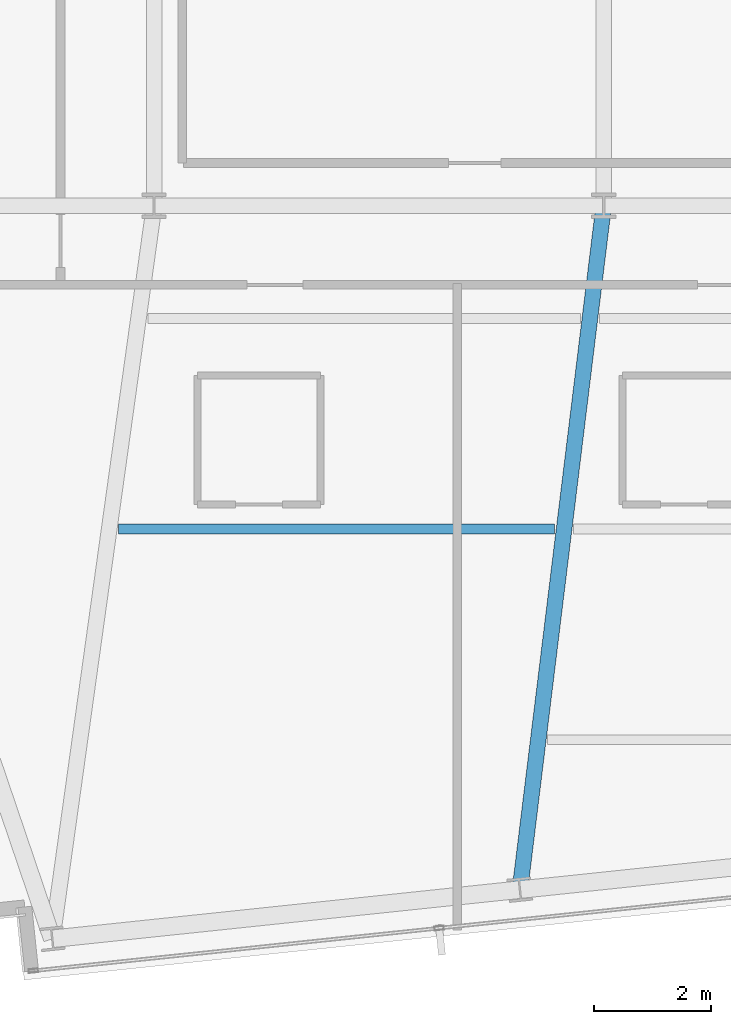
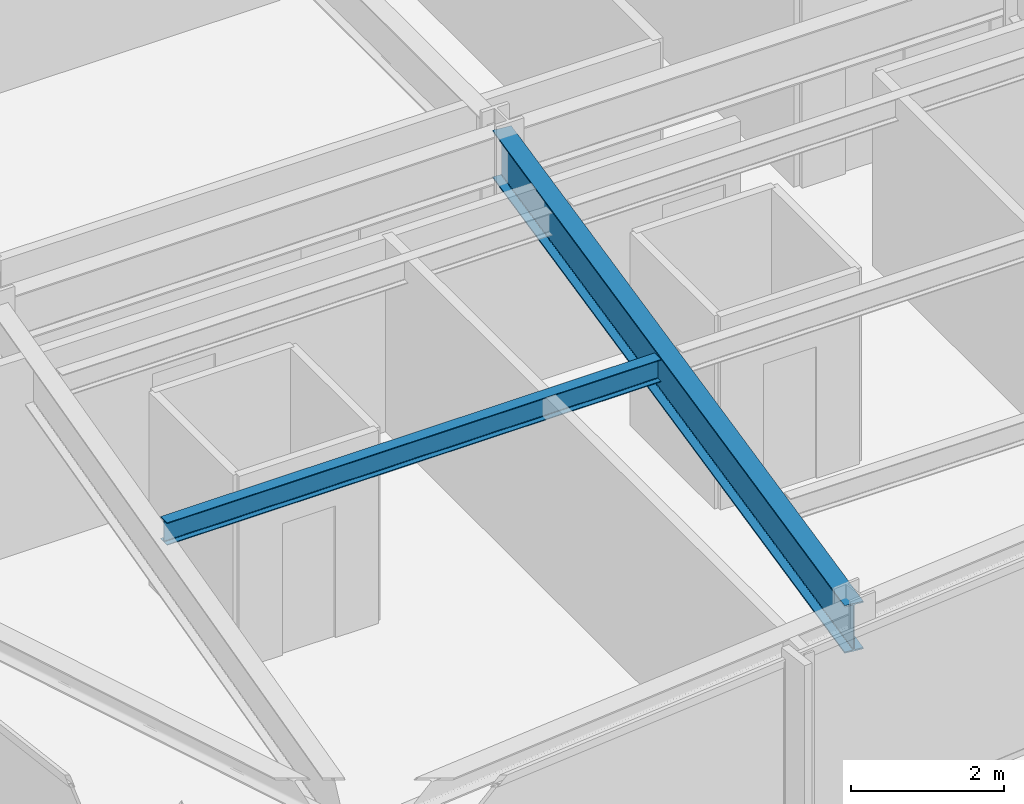
# One storey, part 4 of 33: 2 beams.
"""IFC4 building model written with IfcOpenShell, lengths in metres."""

from ifc_helpers import new_model, si_unit, direction, frame, origin, origin_2d, place, context, subcontext, project, spatial, i_section, extrude, material, material_profile, profile_set, type_object, element, save


model = new_model("IFC4")

# Units and contexts
model_context = context("Model", 3, precision=1e-05, world=origin(), true_north=direction((0.0, 1.0)))
body_context = subcontext(model_context, "Body", "Model", "MODEL_VIEW")
ifc_project = project(units=[si_unit("LENGTHUNIT", "METRE"), si_unit("AREAUNIT", "SQUARE_METRE"), si_unit("VOLUMEUNIT", "CUBIC_METRE"), si_unit("PLANEANGLEUNIT", "RADIAN"), si_unit("MASSUNIT", "GRAM", prefix="KILO")], contexts=[model_context])

# Site, building, storey
site_placement = place(None, origin())
site = spatial("IfcSite", under=ifc_project, at=site_placement, CompositionType="ELEMENT")
building_placement = place(site_placement, origin())
building = spatial("IfcBuilding", under=site, at=building_placement, Name="Yelkora Congress Tower", CompositionType="ELEMENT")
storey_placement = place(building_placement, frame((0.0, 0.0, 224.300048828125)))
storey = spatial("IfcBuildingStorey", under=building, at=storey_placement, Name="L62", CompositionType="ELEMENT", Elevation=224.300048828125)

# Beams
ifc_material = material(Name="Steel S355J2", Category="steel")
ifc_material_profile_1 = material_profile(ifc_material, i_section(OverallWidth=0.26708984375, OverallDepth=0.761962890625, WebThickness=0.014404296875, FlangeThickness=0.021484375, FilletRadius=0.01708984375, at=origin_2d()), Name="IPE 750x173")
ifc_profile_set_1 = profile_set([ifc_material_profile_1], Name="Steel S355J2")
beam_type_1 = type_object("IfcBeamType", Name="BM-GIRD-IPE750", PredefinedType="BEAM", material=ifc_profile_set_1)
beam_1_placement = place(storey_placement, frame((29.288330078125, 13.518310546875, 2.698974609375), z_axis=(0.121644630436, 0.992573717104, 0.0), x_axis=(-0.992573717104, 0.121644630436, 0.0)))
element("IfcBeam", 1, at=beam_1_placement, inside=storey, type_object=beam_type_1, Name="L62 Primary Frame Girder S02", PredefinedType="BEAM", context=body_context, shape_type="SweptSolid", body=[
    extrude(i_section(OverallWidth=0.26708984375, OverallDepth=0.761962890625, WebThickness=0.014404296875, FlangeThickness=0.021484375, FilletRadius=0.01708984375, at=origin_2d()), origin(), (0.0, 0.0, 1.0), 11.76904296875),
])
ifc_material_profile_2 = material_profile(ifc_material, i_section(OverallWidth=0.169921875, OverallDepth=0.360107421875, WebThickness=0.008056640625, FlangeThickness=0.0126953125, FilletRadius=0.01806640625, at=origin_2d()), Name="IPE 360")
ifc_profile_set_2 = profile_set([ifc_material_profile_2], Name="Steel S355J2")
beam_type_2 = type_object("IfcBeamType", Name="BM-JOIST-IPE360", PredefinedType="JOIST", material=ifc_profile_set_2)
beam_2_placement = place(storey_placement, frame((22.432373046875, 19.678466796875, 2.89990234375), z_axis=(1.0, 0.0, 0.0), x_axis=(0.0, 1.0, 0.0)))
element("IfcBeam", 2, at=beam_2_placement, inside=storey, type_object=beam_type_2, Name="L62 Composite Floor Joist 3", PredefinedType="JOIST", context=body_context, shape_type="SweptSolid", body=[
    extrude(i_section(OverallWidth=0.169921875, OverallDepth=0.360107421875, WebThickness=0.008056640625, FlangeThickness=0.0126953125, FilletRadius=0.01806640625, at=origin_2d()), origin(), (0.0, 0.0, 1.0), 7.450927734375),
])

save(model, "model.ifc")
